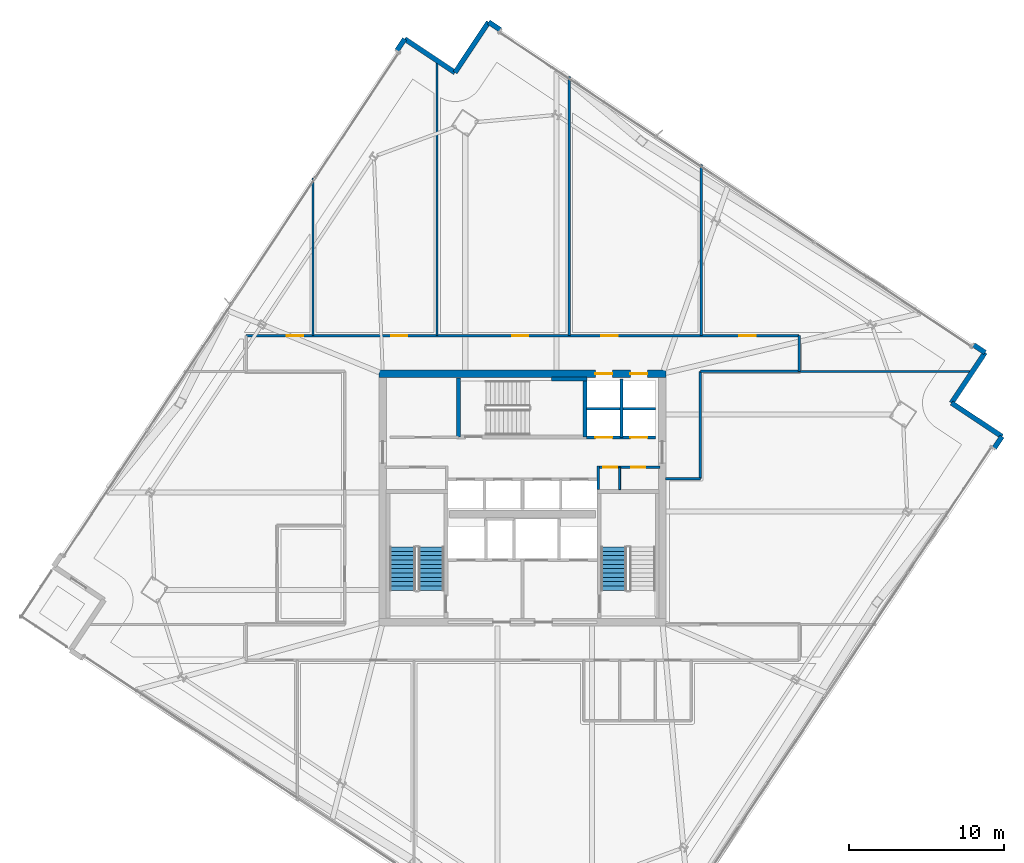
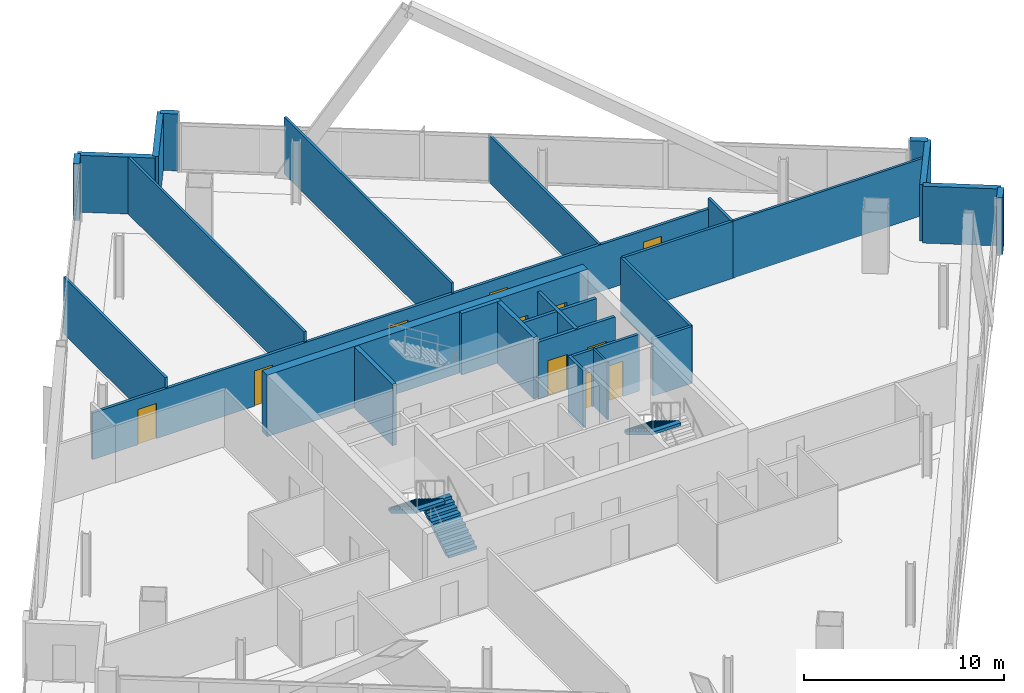
# One storey, part 26 of 32: 28 walls, 11 doors, 3 stair flights, 11 openings, 2 elements without a shape of their own.
"""IFC4 building model written with IfcOpenShell, lengths in metres."""

from ifc_helpers import new_model, si_unit, direction, frame, frame_2d, origin, place, context, subcontext, project, spatial, polyline, rectangle, outline, extrude, material, layer, layer_set, type_object, element, fill, aggregate, save


model = new_model("IFC4")

# Units and contexts
model_context = context("Model", 3, precision=1e-05, world=origin(), true_north=direction((0.0, 1.0)))
body_context = subcontext(model_context, "Body", "Model", "MODEL_VIEW")
ifc_project = project(units=[si_unit("LENGTHUNIT", "METRE"), si_unit("AREAUNIT", "SQUARE_METRE"), si_unit("VOLUMEUNIT", "CUBIC_METRE"), si_unit("PLANEANGLEUNIT", "RADIAN"), si_unit("MASSUNIT", "GRAM", prefix="KILO")], contexts=[model_context])

# Site, building, storey
site_placement = place(None, origin())
site = spatial("IfcSite", under=ifc_project, at=site_placement, CompositionType="ELEMENT")
building_placement = place(site_placement, origin())
building = spatial("IfcBuilding", under=site, at=building_placement, Name="Haldenkirk Collegiate Tower", CompositionType="ELEMENT")
storey_placement = place(building_placement, frame((0.0, 0.0, 217.199951171875)))
storey = spatial("IfcBuildingStorey", under=building, at=storey_placement, Name="L54", CompositionType="ELEMENT", Elevation=217.199951171875)

# Wall, openings, doors
ifc_material_1 = material(Name="Concrete f'c 55 MPa", Category="concrete")
ifc_layer_1 = layer(ifc_material_1, 0.5)
ifc_layer_set_1 = layer_set([ifc_layer_1], Name="Concrete f'c 55 MPa")
wall_type_1 = type_object("IfcWallType", Name="WL-CORE-500", PredefinedType="SHEAR", material=ifc_layer_set_1)
wall_1_placement = place(storey_placement, frame((26.75, 34.0, 0.0), z_axis=(0.0, 0.0, 1.0), x_axis=(1.0, 0.0, 0.0)))
wall_1 = element("IfcWall", 1, at=wall_1_placement, inside=storey, type_object=wall_type_1, Name="L54 central core shear wall N", PredefinedType="SHEAR", context=body_context, shape_type="SweptSolid", body=[
    extrude(rectangle(XDim=18.5, YDim=0.5, at=frame_2d((9.25, 0.0))), origin(), (0.0, 0.0, 1.0), 3.75),
])
opening_1_placement = place(wall_1_placement, frame((13.93505859375, 0.0, 0.0)))
opening_1 = element("IfcOpeningElement", 2, at=opening_1_placement, cuts=wall_1, Name="Opening LD-11", PredefinedType="OPENING", context=body_context, shape_type="SweptSolid", body=[
    extrude(rectangle(XDim=1.10009765625, YDim=2.14990234375, at=frame_2d((0.550048828125, 1.074951171875))), frame((0.0, 0.260009765625, 0.0), z_axis=(0.0, -1.0, 0.0), x_axis=(1.0, 0.0, 0.0)), (0.0, 0.0, 1.0), 0.52001953125),
])
opening_2_placement = place(wall_1_placement, frame((16.18505859375, 0.0, 0.0)))
opening_2 = element("IfcOpeningElement", 3, at=opening_2_placement, cuts=wall_1, Name="Opening LD-11", PredefinedType="OPENING", context=body_context, shape_type="SweptSolid", body=[
    extrude(rectangle(XDim=1.10009765625, YDim=2.14990234375, at=frame_2d((0.550048828125, 1.074951171875))), frame((0.0, 0.260009765625, 0.0), z_axis=(0.0, -1.0, 0.0), x_axis=(1.0, 0.0, 0.0)), (0.0, 0.0, 1.0), 0.52001953125),
])
ifc_material_2 = material(Name="Brushed architectural stainless steel", Category="steel")
ifc_layer_2 = layer(ifc_material_2, 0.06005859375)
ifc_layer_set_2 = layer_set([ifc_layer_2], Name="Brushed architectural stainless steel")
door_type_1 = type_object("IfcDoorType", Name="LD-PASS-1100", OperationType="NOTDEFINED", PredefinedType="DOOR", material=ifc_layer_set_2)
door_1_placement = place(opening_1_placement, origin())
door_1 = element("IfcDoor", 4, at=door_1_placement, inside=storey, type_object=door_type_1, Name="L54 Elevator PM3 sliding landing door", OperationType="SLIDING_TO_LEFT", OverallHeight=2.14990234375, OverallWidth=1.10009765625, PredefinedType="DOOR", context=body_context, shape_type="SweptSolid", body=[
    extrude(rectangle(XDim=1.10009765625, YDim=2.14990234375, at=frame_2d((0.550048828125, 1.074951171875))), frame((0.0, 0.02490234375, 0.0), z_axis=(0.0, -1.0, 0.0), x_axis=(1.0, 0.0, 0.0)), (0.0, 0.0, 1.0), 0.050048828125),
])
fill(opening_1, door_1)
door_2_placement = place(opening_2_placement, origin())
door_2 = element("IfcDoor", 5, at=door_2_placement, inside=storey, type_object=door_type_1, Name="L54 Elevator PM4 sliding landing door", OperationType="SLIDING_TO_LEFT", OverallHeight=2.14990234375, OverallWidth=1.10009765625, PredefinedType="DOOR", context=body_context, shape_type="SweptSolid", body=[
    extrude(rectangle(XDim=1.10009765625, YDim=2.14990234375, at=frame_2d((0.550048828125, 1.074951171875))), frame((0.0, 0.02490234375, 0.0), z_axis=(0.0, -1.0, 0.0), x_axis=(1.0, 0.0, 0.0)), (0.0, 0.0, 1.0), 0.050048828125),
])
fill(opening_2, door_2)

# Walls
ifc_material_3 = material(Name="Precast concrete f'c 40 MPa", Category="concrete")
ifc_layer_3 = layer(ifc_material_3, 0.320068359375)
ifc_layer_set_3 = layer_set([ifc_layer_3], Name="Precast concrete f'c 40 MPa")
wall_type_2 = type_object("IfcWallType", Name="WL-EXT-TWR-320", PredefinedType="STANDARD", material=ifc_layer_set_3)
wall_2_placement = place(storey_placement, frame((66.8662109375, 29.9599609375, 0.0), z_axis=(0.0, 0.0, 1.0), x_axis=(-0.553948740023, -0.832550775284, 0.0)))
element("IfcWall", 6, at=wall_2_placement, inside=storey, type_object=wall_type_2, Name="L54 precast corner pier SL", PredefinedType="STANDARD", context=body_context, shape_type="SweptSolid", body=[
    extrude(rectangle(XDim=0.89990234375, YDim=0.320068359375, at=frame_2d((0.449951171875, 0.0))), origin(), (0.0, 0.0, 1.0), 3.469970703125),
])
for number, where, z_axis, x_axis, name in (
    (7, (63.619873046875, 32.12109375, 0.0), (0.0, 0.0, 1.0), (0.832416092974, -0.554151105889, 0.0), "L54 bronze precast notch wall 02"),
    (8, (65.781005859375, 35.367431640625, 0.0), (0.0, 0.0, 1.0), (-0.554151105889, -0.832416092974, 0.0), "L54 bronze precast notch wall 03"),
):
    element("IfcWall", number, at=place(storey_placement, frame(where, z_axis=z_axis, x_axis=x_axis)), inside=storey, type_object=wall_type_2, Name=name, PredefinedType="STANDARD", context=body_context, shape_type="SweptSolid", body=[
        extrude(rectangle(XDim=3.89990234375, YDim=0.320068359375, at=frame_2d((1.949951171875, 0.0))), origin(), (0.0, 0.0, 1.0), 3.469970703125),
    ])
for number, where, z_axis, x_axis, name in (
    (9, (33.815185546875, 56.645751953125, 0.0), (0.0, 0.0, 1.0), (0.832425662246, -0.554136731172, 0.0), "L54 precast corner pier EL"),
    (10, (65.03173828125, 35.8662109375, 0.0), (0.0, 0.0, 1.0), (0.832425662246, -0.554136731172, 0.0), "L54 precast corner pier ER"),
):
    element("IfcWall", number, at=place(storey_placement, frame(where, z_axis=z_axis, x_axis=x_axis)), inside=storey, type_object=wall_type_2, Name=name, PredefinedType="STANDARD", context=body_context, shape_type="SweptSolid", body=[
        extrude(rectangle(XDim=0.900146484375, YDim=0.320068359375, at=frame_2d((0.4501953125, 0.0))), origin(), (0.0, 0.0, 1.0), 3.469970703125),
    ])
wall_3_placement = place(storey_placement, frame((31.654296875, 53.399169921875, 0.0), z_axis=(0.0, 0.0, 1.0), x_axis=(0.554078850013, 0.832464190202, 0.0)))
element("IfcWall", 11, at=wall_3_placement, inside=storey, type_object=wall_type_2, Name="L54 bronze precast notch wall 05", PredefinedType="STANDARD", context=body_context, shape_type="SweptSolid", body=[
    extrude(rectangle(XDim=3.89990234375, YDim=0.320068359375, at=frame_2d((1.949951171875, 0.0))), origin(), (0.0, 0.0, 1.0), 3.469970703125),
])
wall_4_placement = place(storey_placement, frame((28.40771484375, 55.560302734375, 0.0), z_axis=(0.0, 0.0, 1.0), x_axis=(0.832435315447, -0.554122229834, 0.0)))
element("IfcWall", 12, at=wall_4_placement, inside=storey, type_object=wall_type_2, Name="L54 bronze precast notch wall 06", PredefinedType="STANDARD", context=body_context, shape_type="SweptSolid", body=[
    extrude(rectangle(XDim=3.900146484375, YDim=0.320068359375, at=frame_2d((1.9501953125, 0.0))), origin(), (0.0, 0.0, 1.0), 3.469970703125),
])
wall_5_placement = place(storey_placement, frame((27.908935546875, 54.81103515625, 0.0), z_axis=(0.0, 0.0, 1.0), x_axis=(0.554136731172, 0.832425662246, 0.0)))
element("IfcWall", 13, at=wall_5_placement, inside=storey, type_object=wall_type_2, Name="L54 precast corner pier NR", PredefinedType="STANDARD", context=body_context, shape_type="SweptSolid", body=[
    extrude(rectangle(XDim=0.900146484375, YDim=0.320068359375, at=frame_2d((0.4501953125, 0.0))), origin(), (0.0, 0.0, 1.0), 3.469970703125),
])

# Wall, openings, doors
ifc_material_4 = material(Name="Acoustic fire-rated gypsum partition", Category="concrete")
ifc_layer_4 = layer(ifc_material_4, 0.159912109375)
ifc_layer_set_4 = layer_set([ifc_layer_4], Name="Acoustic fire-rated gypsum partition")
wall_type_3 = type_object("IfcWallType", Name="WL-INT-CORR-160", PredefinedType="PARTITIONING", material=ifc_layer_set_4)
wall_6_placement = place(storey_placement, frame((40.800048828125, 27.97998046875, 0.0), z_axis=(0.0, 0.0, 1.0), x_axis=(1.0, 0.0, 0.0)))
wall_6 = element("IfcWall", 14, at=wall_6_placement, inside=storey, type_object=wall_type_3, Name="L54 interior partition IW-L54-VCSE-N", PredefinedType="PARTITIONING", context=body_context, shape_type="SweptSolid", body=[
    extrude(rectangle(XDim=4.050048828125, YDim=0.159912109375, at=frame_2d((2.02490234375, 0.0))), origin(), (0.0, 0.0, 1.0), 3.469970703125),
])
opening_3_placement = place(wall_6_placement, frame((0.407470703125, 0.0, 0.0)))
opening_3 = element("IfcOpeningElement", 15, at=opening_3_placement, cuts=wall_6, Name="Opening D-11", PredefinedType="OPENING", context=body_context, shape_type="SweptSolid", body=[
    extrude(rectangle(XDim=0.89990234375, YDim=2.14990234375, at=frame_2d((0.449951171875, 1.074951171875))), frame((0.0, 0.08984375, 0.0), z_axis=(0.0, -1.0, 0.0), x_axis=(1.0, 0.0, 0.0)), (0.0, 0.0, 1.0), 0.179931640625),
])
opening_4_placement = place(wall_6_placement, frame((2.199951171875, 0.0, 0.0)))
opening_4 = element("IfcOpeningElement", 16, at=opening_4_placement, cuts=wall_6, Name="Opening D-11", PredefinedType="OPENING", context=body_context, shape_type="SweptSolid", body=[
    extrude(rectangle(XDim=0.89990234375, YDim=2.14990234375, at=frame_2d((0.449951171875, 1.074951171875))), frame((0.0, 0.08984375, 0.0), z_axis=(0.0, -1.0, 0.0), x_axis=(1.0, 0.0, 0.0)), (0.0, 0.0, 1.0), 0.179931640625),
])
ifc_material_5 = material(Name="Solid-core architectural oak fire door", Category="wood")
ifc_layer_5 = layer(ifc_material_5, 0.06005859375)
ifc_layer_set_5 = layer_set([ifc_layer_5], Name="Solid-core architectural oak fire door")
door_type_2 = type_object("IfcDoorType", Name="DR-INT-FD60-900", OperationType="NOTDEFINED", PredefinedType="DOOR", material=ifc_layer_set_5)
door_3_placement = place(opening_3_placement, origin())
door_3 = element("IfcDoor", 17, at=door_3_placement, inside=storey, type_object=door_type_2, Name="L54 core copy room door", OperationType="SINGLE_SWING_RIGHT", OverallHeight=2.14990234375, OverallWidth=0.89990234375, PredefinedType="DOOR", context=body_context, shape_type="SweptSolid", body=[
    extrude(rectangle(XDim=0.89990234375, YDim=2.14990234375, at=frame_2d((0.449951171875, 1.074951171875))), frame((0.0, 0.02490234375, 0.0), z_axis=(0.0, -1.0, 0.0), x_axis=(1.0, 0.0, 0.0)), (0.0, 0.0, 1.0), 0.050048828125),
])
fill(opening_3, door_3)
door_4_placement = place(opening_4_placement, origin())
door_4 = element("IfcDoor", 18, at=door_4_placement, inside=storey, type_object=door_type_2, Name="L54 core records store door", OperationType="SINGLE_SWING_LEFT", OverallHeight=2.14990234375, OverallWidth=0.89990234375, PredefinedType="DOOR", context=body_context, shape_type="SweptSolid", body=[
    extrude(rectangle(XDim=0.89990234375, YDim=2.14990234375, at=frame_2d((0.449951171875, 1.074951171875))), frame((0.0, 0.02490234375, 0.0), z_axis=(0.0, -1.0, 0.0), x_axis=(1.0, 0.0, 0.0)), (0.0, 0.0, 1.0), 0.050048828125),
])
fill(opening_4, door_4)

# Wall
wall_7_placement = place(storey_placement, frame((40.8798828125, 26.5400390625, 0.0), z_axis=(0.0, 0.0, 1.0), x_axis=(0.0, 1.0, 0.0)))
element("IfcWall", 19, at=wall_7_placement, inside=storey, type_object=wall_type_3, Name="L54 interior partition IW-L54-VCSE-W", PredefinedType="PARTITIONING", context=body_context, shape_type="SweptSolid", body=[
    extrude(rectangle(XDim=1.510009765625, YDim=0.159912109375, at=frame_2d((0.7548828125, 0.0))), origin(), (0.0, 0.0, 1.0), 3.469970703125),
])

# Wall, openings, doors
wall_8_placement = place(storey_placement, frame((18.199951171875, 36.449951171875, 0.0), z_axis=(0.0, 0.0, 1.0), x_axis=(1.0, 0.0, 0.0)))
wall_8 = element("IfcWall", 20, at=wall_8_placement, inside=storey, type_object=wall_type_3, Name="L54 interior partition IW-L54-CN", PredefinedType="PARTITIONING", context=body_context, shape_type="SweptSolid", body=[
    extrude(rectangle(XDim=35.60009765625, YDim=0.159912109375, at=frame_2d((17.800048828125, 0.0))), origin(), (0.0, 0.0, 1.0), 2.84912109375),
])
opening_5_placement = place(wall_8_placement, frame((2.625, 0.0, 0.0)))
opening_5 = element("IfcOpeningElement", 21, at=opening_5_placement, cuts=wall_8, Name="Opening D-09", PredefinedType="OPENING", context=body_context, shape_type="SweptSolid", body=[
    extrude(rectangle(XDim=1.050048828125, YDim=2.14990234375, at=frame_2d((0.52490234375, 1.074951171875))), frame((0.0, 0.08984375, 0.0), z_axis=(0.0, -1.0, 0.0), x_axis=(1.0, 0.0, 0.0)), (0.0, 0.0, 1.0), 0.179931640625),
])
opening_6_placement = place(wall_8_placement, frame((9.3349609375, 0.0, 0.0)))
opening_6 = element("IfcOpeningElement", 22, at=opening_6_placement, cuts=wall_8, Name="Opening D-09", PredefinedType="OPENING", context=body_context, shape_type="SweptSolid", body=[
    extrude(rectangle(XDim=1.050048828125, YDim=2.14990234375, at=frame_2d((0.52490234375, 1.074951171875))), frame((0.0, 0.08984375, 0.0), z_axis=(0.0, -1.0, 0.0), x_axis=(1.0, 0.0, 0.0)), (0.0, 0.0, 1.0), 0.179931640625),
])
opening_7_placement = place(wall_8_placement, frame((17.125, 0.0, 0.0)))
opening_7 = element("IfcOpeningElement", 23, at=opening_7_placement, cuts=wall_8, Name="Opening D-09", PredefinedType="OPENING", context=body_context, shape_type="SweptSolid", body=[
    extrude(rectangle(XDim=1.050048828125, YDim=2.14990234375, at=frame_2d((0.52490234375, 1.074951171875))), frame((0.0, 0.08984375, 0.0), z_axis=(0.0, -1.0, 0.0), x_axis=(1.0, 0.0, 0.0)), (0.0, 0.0, 1.0), 0.179931640625),
])
opening_8_placement = place(wall_8_placement, frame((22.875, 0.0, 0.0)))
opening_8 = element("IfcOpeningElement", 24, at=opening_8_placement, cuts=wall_8, Name="Opening D-09", PredefinedType="OPENING", context=body_context, shape_type="SweptSolid", body=[
    extrude(rectangle(XDim=1.050048828125, YDim=2.14990234375, at=frame_2d((0.52490234375, 1.074951171875))), frame((0.0, 0.08984375, 0.0), z_axis=(0.0, -1.0, 0.0), x_axis=(1.0, 0.0, 0.0)), (0.0, 0.0, 1.0), 0.179931640625),
])
opening_9_placement = place(wall_8_placement, frame((31.759033203125, 0.0, 0.0)))
opening_9 = element("IfcOpeningElement", 25, at=opening_9_placement, cuts=wall_8, Name="Opening D-09", PredefinedType="OPENING", context=body_context, shape_type="SweptSolid", body=[
    extrude(rectangle(XDim=1.050048828125, YDim=2.14990234375, at=frame_2d((0.52490234375, 1.074951171875))), frame((0.0, 0.08984375, 0.0), z_axis=(0.0, -1.0, 0.0), x_axis=(1.0, 0.0, 0.0)), (0.0, 0.0, 1.0), 0.179931640625),
])
ifc_layer_6 = layer(ifc_material_5, 0.06005859375)
ifc_layer_set_6 = layer_set([ifc_layer_6], Name="Solid-core architectural oak fire door")
door_type_3 = type_object("IfcDoorType", Name="DR-INT-FD60-1050", OperationType="NOTDEFINED", PredefinedType="DOOR", material=ifc_layer_set_6)
door_5_placement = place(opening_5_placement, origin())
door_5 = element("IfcDoor", 26, at=door_5_placement, inside=storey, type_object=door_type_3, Name="L54 Graduate Seminar Room 4 door", OperationType="SINGLE_SWING_LEFT", OverallHeight=2.14990234375, OverallWidth=1.050048828125, PredefinedType="DOOR", context=body_context, shape_type="SweptSolid", body=[
    extrude(rectangle(XDim=1.050048828125, YDim=2.14990234375, at=frame_2d((0.52490234375, 1.074951171875))), frame((0.0, 0.02490234375, 0.0), z_axis=(0.0, -1.0, 0.0), x_axis=(1.0, 0.0, 0.0)), (0.0, 0.0, 1.0), 0.050048828125),
])
fill(opening_5, door_5)
door_6_placement = place(opening_6_placement, origin())
door_6 = element("IfcDoor", 27, at=door_6_placement, inside=storey, type_object=door_type_3, Name="L54 Moot Court Seminar Room 5 door", OperationType="SINGLE_SWING_RIGHT", OverallHeight=2.14990234375, OverallWidth=1.050048828125, PredefinedType="DOOR", context=body_context, shape_type="SweptSolid", body=[
    extrude(rectangle(XDim=1.050048828125, YDim=2.14990234375, at=frame_2d((0.52490234375, 1.074951171875))), frame((0.0, 0.02490234375, 0.0), z_axis=(0.0, -1.0, 0.0), x_axis=(1.0, 0.0, 0.0)), (0.0, 0.0, 1.0), 0.050048828125),
])
fill(opening_6, door_6)
door_7_placement = place(opening_7_placement, origin())
door_7 = element("IfcDoor", 28, at=door_7_placement, inside=storey, type_object=door_type_3, Name="L54 Conference Room 6 door", OperationType="SINGLE_SWING_LEFT", OverallHeight=2.14990234375, OverallWidth=1.050048828125, PredefinedType="DOOR", context=body_context, shape_type="SweptSolid", body=[
    extrude(rectangle(XDim=1.050048828125, YDim=2.14990234375, at=frame_2d((0.52490234375, 1.074951171875))), frame((0.0, 0.02490234375, 0.0), z_axis=(0.0, -1.0, 0.0), x_axis=(1.0, 0.0, 0.0)), (0.0, 0.0, 1.0), 0.050048828125),
])
fill(opening_7, door_7)
door_8_placement = place(opening_8_placement, origin())
door_8 = element("IfcDoor", 29, at=door_8_placement, inside=storey, type_object=door_type_3, Name="L54 Student Wellness Clinic 7 door", OperationType="SINGLE_SWING_RIGHT", OverallHeight=2.14990234375, OverallWidth=1.050048828125, PredefinedType="DOOR", context=body_context, shape_type="SweptSolid", body=[
    extrude(rectangle(XDim=1.050048828125, YDim=2.14990234375, at=frame_2d((0.52490234375, 1.074951171875))), frame((0.0, 0.02490234375, 0.0), z_axis=(0.0, -1.0, 0.0), x_axis=(1.0, 0.0, 0.0)), (0.0, 0.0, 1.0), 0.050048828125),
])
fill(opening_8, door_8)
door_9_placement = place(opening_9_placement, origin())
door_9 = element("IfcDoor", 30, at=door_9_placement, inside=storey, type_object=door_type_3, Name="L54 Academic Counseling Clinic 8 door", OperationType="SINGLE_SWING_LEFT", OverallHeight=2.14990234375, OverallWidth=1.050048828125, PredefinedType="DOOR", context=body_context, shape_type="SweptSolid", body=[
    extrude(rectangle(XDim=1.050048828125, YDim=2.14990234375, at=frame_2d((0.52490234375, 1.074951171875))), frame((0.0, 0.02490234375, 0.0), z_axis=(0.0, -1.0, 0.0), x_axis=(1.0, 0.0, 0.0)), (0.0, 0.0, 1.0), 0.050048828125),
])
fill(opening_9, door_9)

# Walls
wall_9_placement = place(storey_placement, frame((47.449951171875, 34.14990234375, 0.0), z_axis=(0.0, 0.0, 1.0), x_axis=(1.0, 0.0, 0.0)))
element("IfcWall", 31, at=wall_9_placement, inside=storey, type_object=wall_type_3, Name="L54 interior partition IW-L54-CNE", PredefinedType="PARTITIONING", context=body_context, shape_type="SweptSolid", body=[
    extrude(rectangle(XDim=6.35009765625, YDim=0.159912109375, at=frame_2d((3.175048828125, 0.0))), origin(), (0.0, 0.0, 1.0), 3.469970703125),
])
wall_10_placement = place(storey_placement, frame((47.449951171875, 27.25, 0.0), z_axis=(0.0, 0.0, 1.0), x_axis=(0.0, 1.0, 0.0)))
element("IfcWall", 32, at=wall_10_placement, inside=storey, type_object=wall_type_3, Name="L54 interior partition IW-L54-CE", PredefinedType="PARTITIONING", context=body_context, shape_type="SweptSolid", body=[
    extrude(rectangle(XDim=6.89990234375, YDim=0.159912109375, at=frame_2d((3.449951171875, 0.0))), origin(), (0.0, 0.0, 1.0), 3.469970703125),
])
wall_11_placement = place(storey_placement, frame((45.199951171875, 27.25, 0.0), z_axis=(0.0, 0.0, 1.0), x_axis=(1.0, 0.0, 0.0)))
element("IfcWall", 33, at=wall_11_placement, inside=storey, type_object=wall_type_3, Name="L54 interior partition IW-L54-CES", PredefinedType="PARTITIONING", context=body_context, shape_type="SweptSolid", body=[
    extrude(rectangle(XDim=2.25, YDim=0.159912109375, at=frame_2d((1.125, 0.0))), origin(), (0.0, 0.0, 1.0), 3.469970703125),
])
wall_12_placement = place(storey_placement, frame((53.800048828125, 34.14990234375, 0.0), z_axis=(0.0, 0.0, 1.0), x_axis=(0.0, 1.0, 0.0)))
element("IfcWall", 34, at=wall_12_placement, inside=storey, type_object=wall_type_3, Name="L54 interior partition IW-L54-CNR", PredefinedType="PARTITIONING", context=body_context, shape_type="SweptSolid", body=[
    extrude(rectangle(XDim=2.300048828125, YDim=0.159912109375, at=frame_2d((1.14990234375, 0.0))), origin(), (0.0, 0.0, 1.0), 3.469970703125),
])
ifc_layer_7 = layer(ifc_material_4, 0.139892578125)
ifc_layer_set_7 = layer_set([ifc_layer_7], Name="Acoustic fire-rated gypsum partition")
wall_type_4 = type_object("IfcWallType", Name="WL-INT-DIV-140", PredefinedType="PARTITIONING", material=ifc_layer_set_7)
wall_13_placement = place(storey_placement, frame((53.800048828125, 34.14990234375, 0.0), z_axis=(0.0, 0.0, 1.0), x_axis=(1.0, 0.0, 0.0)))
element("IfcWall", 35, at=wall_13_placement, inside=storey, type_object=wall_type_4, Name="L54 interior partition IW-L54-BEN", PredefinedType="PARTITIONING", context=body_context, shape_type="SweptSolid", body=[
    extrude(rectangle(XDim=11.122314453125, YDim=0.139892578125, at=frame_2d((5.56103515625, 0.0))), origin(), (0.0, 0.0, 1.0), 3.469970703125),
])
wall_14_placement = place(storey_placement, frame((22.5, 36.449951171875, 0.0), z_axis=(0.0, 0.0, 1.0), x_axis=(0.0, 1.0, 0.0)))
element("IfcWall", 36, at=wall_14_placement, inside=storey, type_object=wall_type_4, Name="L54 interior partition IW-L54-RN1", PredefinedType="PARTITIONING", context=body_context, shape_type="SweptSolid", body=[
    extrude(rectangle(XDim=10.1630859375, YDim=0.139892578125, at=frame_2d((5.08154296875, 0.0))), origin(), (0.0, 0.0, 1.0), 3.469970703125),
])
wall_15_placement = place(storey_placement, frame((30.5, 36.449951171875, 0.0), z_axis=(0.0, 0.0, 1.0), x_axis=(0.0, 1.0, 0.0)))
element("IfcWall", 37, at=wall_15_placement, inside=storey, type_object=wall_type_4, Name="L54 interior partition IW-L54-RN2", PredefinedType="PARTITIONING", context=body_context, shape_type="SweptSolid", body=[
    extrude(rectangle(XDim=17.66943359375, YDim=0.139892578125, at=frame_2d((8.834716796875, 0.0))), origin(), (0.0, 0.0, 1.0), 3.469970703125),
])
wall_16_placement = place(storey_placement, frame((39.0, 36.449951171875, 0.0), z_axis=(0.0, 0.0, 1.0), x_axis=(0.0, 1.0, 0.0)))
element("IfcWall", 38, at=wall_16_placement, inside=storey, type_object=wall_type_4, Name="L54 interior partition IW-L54-RN3", PredefinedType="PARTITIONING", context=body_context, shape_type="SweptSolid", body=[
    extrude(rectangle(XDim=16.6962890625, YDim=0.139892578125, at=frame_2d((8.34814453125, 0.0))), origin(), (0.0, 0.0, 1.0), 3.469970703125),
])
wall_17_placement = place(storey_placement, frame((47.5, 36.449951171875, 0.0), z_axis=(0.0, 0.0, 1.0), x_axis=(0.0, 1.0, 0.0)))
element("IfcWall", 39, at=wall_17_placement, inside=storey, type_object=wall_type_4, Name="L54 interior partition IW-L54-RN4", PredefinedType="PARTITIONING", context=body_context, shape_type="SweptSolid", body=[
    extrude(rectangle(XDim=11.038330078125, YDim=0.139892578125, at=frame_2d((5.51904296875, 0.0))), origin(), (0.0, 0.0, 1.0), 2.84912109375),
])

# Wall, openings, doors
ifc_material_6 = material(Name="Fire-rated gypsum shaftboard assembly", Category="concrete")
ifc_layer_8 = layer(ifc_material_6, 0.179931640625)
ifc_layer_set_8 = layer_set([ifc_layer_8], Name="Fire-rated gypsum shaftboard assembly")
wall_type_5 = type_object("IfcWallType", Name="WL-INT-SHAFT-180", PredefinedType="PARTITIONING", material=ifc_layer_set_8)
wall_18_placement = place(storey_placement, frame((40.1201171875, 29.89990234375, 0.0), z_axis=(0.0, 0.0, 1.0), x_axis=(1.0, 0.0, 0.0)))
wall_18 = element("IfcWall", 40, at=wall_18_placement, inside=storey, type_object=wall_type_5, Name="L54 interior partition IW-L54-PMS", PredefinedType="PARTITIONING", context=body_context, shape_type="SweptSolid", body=[
    extrude(rectangle(XDim=4.429931640625, YDim=0.179931640625, at=frame_2d((2.21484375, 0.0))), origin(), (0.0, 0.0, 1.0), 3.469970703125),
])
opening_10_placement = place(wall_18_placement, frame((0.56494140625, 0.0, 0.0)))
opening_10 = element("IfcOpeningElement", 41, at=opening_10_placement, cuts=wall_18, Name="Opening LD-11", PredefinedType="OPENING", context=body_context, shape_type="SweptSolid", body=[
    extrude(rectangle(XDim=1.10009765625, YDim=2.14990234375, at=frame_2d((0.550048828125, 1.074951171875))), frame((0.0, 0.099853515625, 0.0), z_axis=(0.0, -1.0, 0.0), x_axis=(1.0, 0.0, 0.0)), (0.0, 0.0, 1.0), 0.199951171875),
])
opening_11_placement = place(wall_18_placement, frame((2.81494140625, 0.0, 0.0)))
opening_11 = element("IfcOpeningElement", 42, at=opening_11_placement, cuts=wall_18, Name="Opening LD-11", PredefinedType="OPENING", context=body_context, shape_type="SweptSolid", body=[
    extrude(rectangle(XDim=1.10009765625, YDim=2.14990234375, at=frame_2d((0.550048828125, 1.074951171875))), frame((0.0, 0.099853515625, 0.0), z_axis=(0.0, -1.0, 0.0), x_axis=(1.0, 0.0, 0.0)), (0.0, 0.0, 1.0), 0.199951171875),
])
door_10_placement = place(opening_10_placement, origin())
door_10 = element("IfcDoor", 43, at=door_10_placement, inside=storey, type_object=door_type_1, Name="L54 Elevator PM1 sliding landing door", OperationType="SLIDING_TO_LEFT", OverallHeight=2.14990234375, OverallWidth=1.10009765625, PredefinedType="DOOR", context=body_context, shape_type="SweptSolid", body=[
    extrude(rectangle(XDim=1.10009765625, YDim=2.14990234375, at=frame_2d((0.550048828125, 1.074951171875))), frame((0.0, 0.02490234375, 0.0), z_axis=(0.0, -1.0, 0.0), x_axis=(1.0, 0.0, 0.0)), (0.0, 0.0, 1.0), 0.050048828125),
])
fill(opening_10, door_10)
door_11_placement = place(opening_11_placement, origin())
door_11 = element("IfcDoor", 44, at=door_11_placement, inside=storey, type_object=door_type_1, Name="L54 Elevator PM2 sliding landing door", OperationType="SLIDING_TO_LEFT", OverallHeight=2.14990234375, OverallWidth=1.10009765625, PredefinedType="DOOR", context=body_context, shape_type="SweptSolid", body=[
    extrude(rectangle(XDim=1.10009765625, YDim=2.14990234375, at=frame_2d((0.550048828125, 1.074951171875))), frame((0.0, 0.02490234375, 0.0), z_axis=(0.0, -1.0, 0.0), x_axis=(1.0, 0.0, 0.0)), (0.0, 0.0, 1.0), 0.050048828125),
])
fill(opening_11, door_11)

# Walls
wall_19_placement = place(storey_placement, frame((40.1201171875, 31.75, 0.0), z_axis=(0.0, 0.0, 1.0), x_axis=(1.0, 0.0, 0.0)))
element("IfcWall", 45, at=wall_19_placement, inside=storey, type_object=wall_type_5, Name="L54 interior partition IW-L54-PMM", PredefinedType="PARTITIONING", context=body_context, shape_type="SweptSolid", body=[
    extrude(rectangle(XDim=4.429931640625, YDim=0.179931640625, at=frame_2d((2.21484375, 0.0))), origin(), (0.0, 0.0, 1.0), 3.469970703125),
])
wall_20_placement = place(storey_placement, frame((42.3701171875, 29.89990234375, 0.0), z_axis=(0.0, 0.0, 1.0), x_axis=(0.0, 1.0, 0.0)))
element("IfcWall", 46, at=wall_20_placement, inside=storey, type_object=wall_type_5, Name="L54 interior partition IW-L54-PMV", PredefinedType="PARTITIONING", context=body_context, shape_type="SweptSolid", body=[
    extrude(rectangle(XDim=3.75, YDim=0.179931640625, at=frame_2d((1.875, 0.0))), origin(), (0.0, 0.0, 1.0), 3.469970703125),
])
ifc_layer_9 = layer(ifc_material_4, 0.1201171875)
ifc_layer_set_9 = layer_set([ifc_layer_9], Name="Acoustic fire-rated gypsum partition")
wall_type_6 = type_object("IfcWallType", Name="WL-INT-WET-120", PredefinedType="PARTITIONING", material=ifc_layer_set_9)
wall_21_placement = place(storey_placement, frame((42.25, 26.5400390625, 0.0), z_axis=(0.0, 0.0, 1.0), x_axis=(0.0, 1.0, 0.0)))
element("IfcWall", 47, at=wall_21_placement, inside=storey, type_object=wall_type_6, Name="L54 interior partition IW-L54-VCSE-M", PredefinedType="PARTITIONING", context=body_context, shape_type="SweptSolid", body=[
    extrude(rectangle(XDim=1.43994140625, YDim=0.1201171875, at=frame_2d((0.719970703125, 0.0))), origin(), (0.0, 0.0, 1.0), 3.469970703125),
])
ifc_layer_10 = layer(ifc_material_1, 0.239990234375)
ifc_layer_set_10 = layer_set([ifc_layer_10], Name="Concrete f'c 55 MPa")
wall_type_7 = type_object("IfcWallType", Name="WL-SHAFT-240", PredefinedType="SHEAR", material=ifc_layer_set_10)
wall_22_placement = place(storey_placement, frame((31.8798828125, 29.929931640625, 0.0), z_axis=(0.0, 0.0, 1.0), x_axis=(0.0, 1.0, 0.0)))
element("IfcWall", 48, at=wall_22_placement, inside=storey, type_object=wall_type_7, Name="L54 stair shaft shear wall SW-L54-ST3W", PredefinedType="SHEAR", context=body_context, shape_type="SweptSolid", body=[
    extrude(rectangle(XDim=3.7900390625, YDim=0.239990234375, at=frame_2d((1.89501953125, 0.0))), origin(), (0.0, 0.0, 1.0), 3.75),
])
wall_23_placement = place(storey_placement, frame((40.02001953125, 29.929931640625, 0.0), z_axis=(0.0, 0.0, 1.0), x_axis=(0.0, 1.0, 0.0)))
element("IfcWall", 49, at=wall_23_placement, inside=storey, type_object=wall_type_7, Name="L54 stair shaft shear wall SW-L54-ST3E", PredefinedType="SHEAR", context=body_context, shape_type="SweptSolid", body=[
    extrude(rectangle(XDim=3.85009765625, YDim=0.239990234375, at=frame_2d((1.925048828125, 0.0))), origin(), (0.0, 0.0, 1.0), 3.75),
])
wall_24_placement = place(storey_placement, frame((37.85009765625, 33.659912109375, 0.0), z_axis=(0.0, 0.0, 1.0), x_axis=(1.0, 0.0, 0.0)))
element("IfcWall", 50, at=wall_24_placement, inside=storey, type_object=wall_type_7, Name="L54 stair shaft shear wall SW-L54-ST3N", PredefinedType="SHEAR", context=body_context, shape_type="SweptSolid", body=[
    extrude(rectangle(XDim=2.289794921875, YDim=0.239990234375, at=frame_2d((1.14501953125, 0.0))), origin(), (0.0, 0.0, 1.0), 3.75),
])

# Stair, stair flights
ifc_material_7 = material(Name="Concrete f'c 40 MPa", Category="concrete")
stair_type = type_object("IfcStairType", Name="STR-DOGLEG-1650", PredefinedType="HALF_TURN_STAIR", material=ifc_material_7)
stair_1_placement = place(storey_placement, origin())
stair_1 = element("IfcStair", 51, at=stair_1_placement, inside=storey, type_object=stair_type, Name="L54 Core Exit Stair ST-1", PredefinedType="HALF_TURN_STAIR")
stair_flight_type = type_object("IfcStairFlightType", Name="STF-FLIGHT-1650", PredefinedType="STRAIGHT", material=ifc_material_7)
stair_flight_1_placement = place(storey_placement, frame((30.125, 20.050048828125, 0.0), z_axis=(0.0, 0.0, 1.0), x_axis=(0.0, 1.0, 0.0)))
stair_flight_1 = element("IfcStairFlight", 52, at=stair_flight_1_placement, type_object=stair_flight_type, Name="ST-1 flight 1", NumberOfRisers=11, NumberOfTreads=10, PredefinedType="STRAIGHT", RiserHeight=0.170454545, TreadLength=0.28, context=body_context, shape_type="SweptSolid", body=[
    extrude(outline(polyline([(0.0, 0.0), (0.0, 0.17041015625), (0.280029296875, 0.17041015625), (0.280029296875, 0.3408203125), (0.56005859375, 0.3408203125), (0.56005859375, 0.511474609375), (0.840087890625, 0.511474609375), (0.840087890625, 0.681884765625), (1.1201171875, 0.681884765625), (1.1201171875, 0.852294921875), (1.39990234375, 0.852294921875), (1.39990234375, 1.022705078125), (1.679931640625, 1.022705078125), (1.679931640625, 1.193115234375), (1.9599609375, 1.193115234375), (1.9599609375, 1.363525390625), (2.239990234375, 1.363525390625), (2.239990234375, 1.5341796875), (2.52001953125, 1.5341796875), (2.52001953125, 1.70458984375), (2.800048828125, 1.70458984375), (2.800048828125, 1.875), (2.800048828125, 1.529052734375), (0.288330078125, 0.0), (0.0, 0.0)])), frame((0.0, 0.824951171875, 0.0), z_axis=(0.0, -1.0, 0.0), x_axis=(1.0, 0.0, 0.0)), (0.0, 0.0, 1.0), 1.64990234375),
])
stair_flight_2_placement = place(storey_placement, frame((28.27490234375, 22.85009765625, 1.875), z_axis=(0.0, 0.0, 1.0), x_axis=(0.0, -1.0, 0.0)))
stair_flight_2 = element("IfcStairFlight", 53, at=stair_flight_2_placement, type_object=stair_flight_type, Name="ST-1 flight 2", NumberOfRisers=11, NumberOfTreads=10, PredefinedType="STRAIGHT", RiserHeight=0.170454545, TreadLength=0.28, context=body_context, shape_type="SweptSolid", body=[
    extrude(outline(polyline([(0.0, 0.0), (0.0, 0.17041015625), (0.280029296875, 0.17041015625), (0.280029296875, 0.3408203125), (0.56005859375, 0.3408203125), (0.56005859375, 0.511474609375), (0.840087890625, 0.511474609375), (0.840087890625, 0.681884765625), (1.1201171875, 0.681884765625), (1.1201171875, 0.852294921875), (1.39990234375, 0.852294921875), (1.39990234375, 1.022705078125), (1.679931640625, 1.022705078125), (1.679931640625, 1.193115234375), (1.9599609375, 1.193115234375), (1.9599609375, 1.363525390625), (2.239990234375, 1.363525390625), (2.239990234375, 1.5341796875), (2.52001953125, 1.5341796875), (2.52001953125, 1.70458984375), (2.800048828125, 1.70458984375), (2.800048828125, 1.875), (2.800048828125, 1.529052734375), (0.288330078125, 0.0), (0.0, 0.0)])), frame((0.0, 0.824951171875, 0.0), z_axis=(0.0, -1.0, 0.0), x_axis=(1.0, 0.0, 0.0)), (0.0, 0.0, 1.0), 1.64990234375),
])
aggregate(stair_1, [stair_flight_1, stair_flight_2])

# Stair, stair flight
stair_2_placement = place(storey_placement, origin())
stair_2 = element("IfcStair", 54, at=stair_2_placement, inside=storey, type_object=stair_type, Name="L54 Core Exit Stair ST-2", PredefinedType="HALF_TURN_STAIR")
stair_flight_3_placement = place(storey_placement, frame((41.875, 22.85009765625, 1.875), z_axis=(0.0, 0.0, 1.0), x_axis=(0.0, -1.0, 0.0)))
stair_flight_3 = element("IfcStairFlight", 55, at=stair_flight_3_placement, type_object=stair_flight_type, Name="ST-2 flight 2", NumberOfRisers=11, NumberOfTreads=10, PredefinedType="STRAIGHT", RiserHeight=0.170454545, TreadLength=0.28, context=body_context, shape_type="SweptSolid", body=[
    extrude(outline(polyline([(0.0, 0.0), (0.0, 0.17041015625), (0.280029296875, 0.17041015625), (0.280029296875, 0.3408203125), (0.56005859375, 0.3408203125), (0.56005859375, 0.511474609375), (0.840087890625, 0.511474609375), (0.840087890625, 0.681884765625), (1.1201171875, 0.681884765625), (1.1201171875, 0.852294921875), (1.39990234375, 0.852294921875), (1.39990234375, 1.022705078125), (1.679931640625, 1.022705078125), (1.679931640625, 1.193115234375), (1.9599609375, 1.193115234375), (1.9599609375, 1.363525390625), (2.239990234375, 1.363525390625), (2.239990234375, 1.5341796875), (2.52001953125, 1.5341796875), (2.52001953125, 1.70458984375), (2.800048828125, 1.70458984375), (2.800048828125, 1.875), (2.800048828125, 1.529052734375), (0.288330078125, 0.0), (0.0, 0.0)])), frame((0.0, 0.824951171875, 0.0), z_axis=(0.0, -1.0, 0.0), x_axis=(1.0, 0.0, 0.0)), (0.0, 0.0, 1.0), 1.64990234375),
])
aggregate(stair_2, [stair_flight_3])

save(model, "model.ifc")
